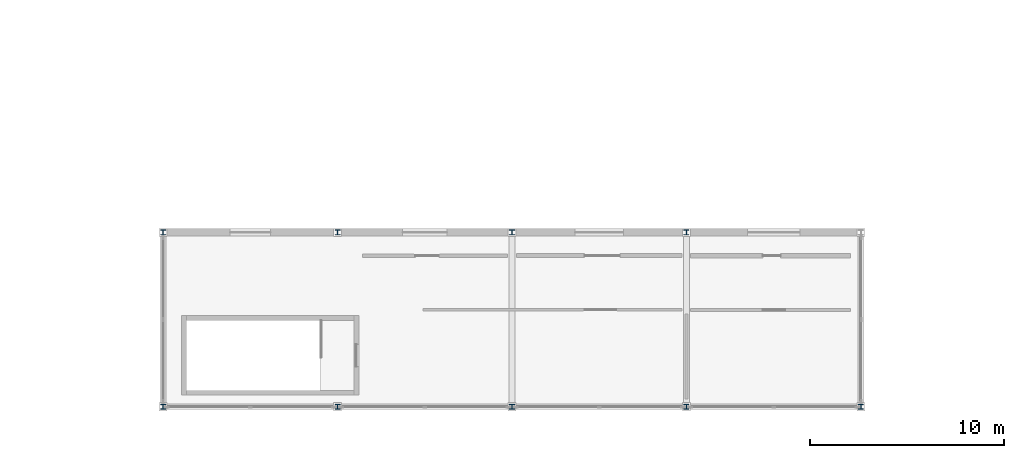
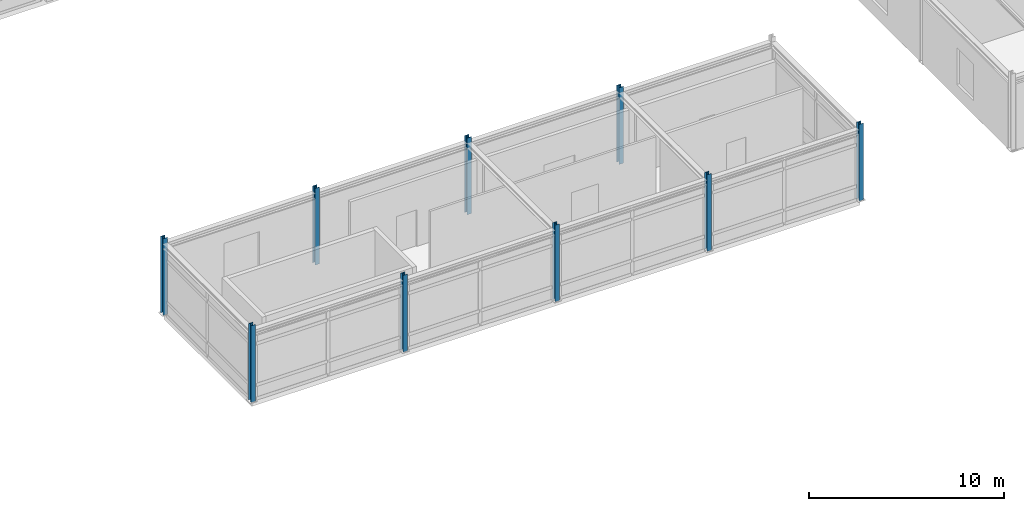
# One storey, part 4 of 61: 9 columns.
"""IFC4 building model written with IfcOpenShell, lengths in metres."""

from ifc_helpers import new_model, si_unit, direction, frame, origin, origin_2d, place, context, subcontext, project, spatial, i_section, extrude, material, material_profile, profile_set, type_object, element, save


model = new_model("IFC4")

# Units and contexts
model_context = context("Model", 3, precision=1e-05, world=origin(), true_north=direction((0.0, 1.0)))
body_context = subcontext(model_context, "Body", "Model", "MODEL_VIEW")
ifc_project = project(units=[si_unit("LENGTHUNIT", "METRE"), si_unit("AREAUNIT", "SQUARE_METRE"), si_unit("VOLUMEUNIT", "CUBIC_METRE"), si_unit("PLANEANGLEUNIT", "RADIAN"), si_unit("MASSUNIT", "GRAM", prefix="KILO")], contexts=[model_context])

# Site, building, storey
site_placement = place(None, origin())
site = spatial("IfcSite", under=ifc_project, at=site_placement, CompositionType="ELEMENT")
building_placement = place(site_placement, origin())
building = spatial("IfcBuilding", under=site, at=building_placement, Name="Bozkorgan Art Gallery", CompositionType="ELEMENT")
storey_placement = place(building_placement, frame((0.0, 0.0, 10.199951171875)))
storey = spatial("IfcBuildingStorey", under=building, at=storey_placement, Name="L02", CompositionType="ELEMENT", Elevation=10.199951171875)

# Columns
ifc_material = material(Name="Steel S355J2", Category="steel")
ifc_material_profile = material_profile(ifc_material, i_section(OverallWidth=0.260009765625, OverallDepth=0.260009765625, WebThickness=0.010009765625, FlangeThickness=0.017578125, FilletRadius=0.02392578125, at=origin_2d()), Name="HEB 260")
ifc_profile_set = profile_set([ifc_material_profile], Name="Steel S355J2")
column_type = type_object("IfcColumnType", Name="COLUMN-C-64", PredefinedType="COLUMN", material=ifc_profile_set)
for number, where, z_axis, x_axis, name in (
    (1, (83.0, 2.0, 0.0), (0.0, 0.0, 1.0), (1.0, 0.0, 0.0), "V3 L02 column (83.0, 2.0)"),
    (2, (83.0, 11.0, 0.0), (0.0, 0.0, 1.0), (1.0, 0.0, 0.0), "V3 L02 column (83.0, 11.0)"),
    (3, (92.0, 2.0, 0.0), (0.0, 0.0, 1.0), (1.0, 0.0, 0.0), "V3 L02 column (92.0, 2.0)"),
    (4, (92.0, 11.0, 0.0), (0.0, 0.0, 1.0), (1.0, 0.0, 0.0), "V3 L02 column (92.0, 11.0)"),
    (5, (101.0, 2.0, 0.0), (0.0, 0.0, 1.0), (1.0, 0.0, 0.0), "V3 L02 column (101.0, 2.0)"),
    (6, (101.0, 11.0, 0.0), (0.0, 0.0, 1.0), (1.0, 0.0, 0.0), "V3 L02 column (101.0, 11.0)"),
    (7, (110.0, 2.0, 0.0), (0.0, 0.0, 1.0), (1.0, 0.0, 0.0), "V3 L02 column (110.0, 2.0)"),
    (8, (110.0, 11.0, 0.0), (0.0, 0.0, 1.0), (1.0, 0.0, 0.0), "V3 L02 column (110.0, 11.0)"),
    (9, (119.0, 2.0, 0.0), (0.0, 0.0, 1.0), (1.0, 0.0, 0.0), "V3 L02 column (119.0, 2.0)"),
):
    element("IfcColumn", number, at=place(storey_placement, frame(where, z_axis=z_axis, x_axis=x_axis)), inside=storey, type_object=column_type, Name=name, PredefinedType="COLUMN", context=body_context, shape_type="SweptSolid", body=[
        extrude(i_section(OverallWidth=0.260009765625, OverallDepth=0.260009765625, WebThickness=0.010009765625, FlangeThickness=0.017578125, FilletRadius=0.02392578125, at=origin_2d()), origin(), (0.0, 0.0, 1.0), 4.800048828125),
    ])

save(model, "model.ifc")
